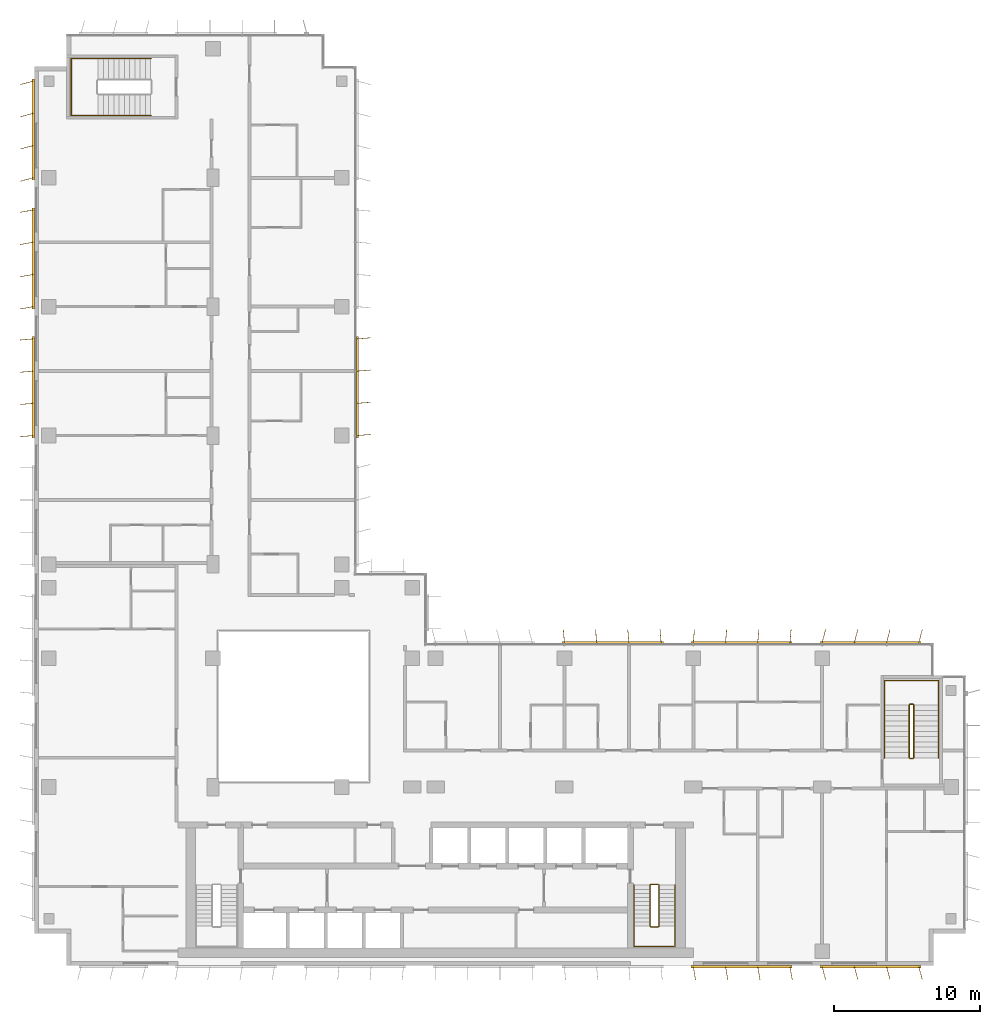
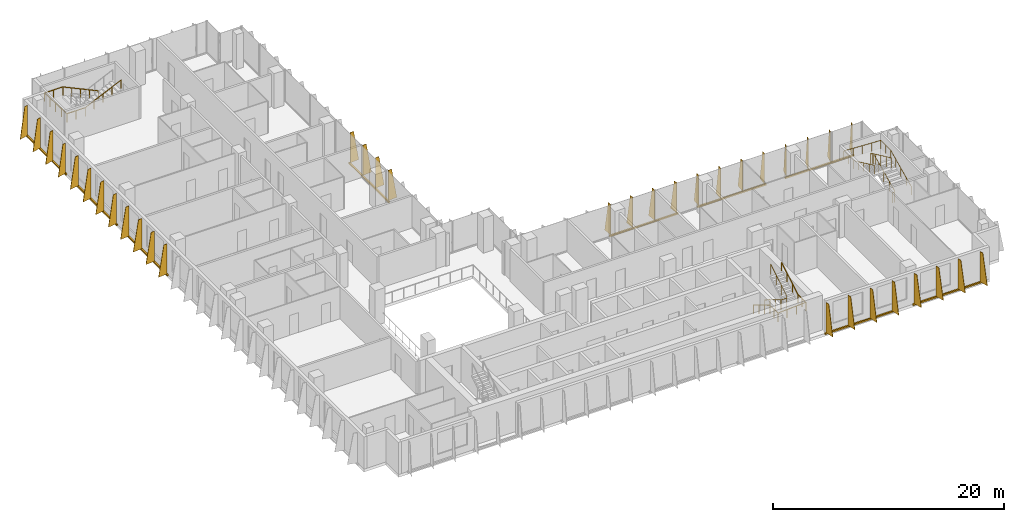
# One storey, part 20 of 21: 9 shading devices, 5 railings.
"""IFC4 building model written with IfcOpenShell, lengths in metres."""

from ifc_helpers import new_model, si_unit, direction, frame, origin, origin_2d, place, context, subcontext, project, spatial, polyline, rectangle, circle, outline, extrude, source, transform, mapped, material, layer, layer_set, type_object, element, save


model = new_model("IFC4")

# Units and contexts
model_context = context("Model", 3, precision=1e-05, world=origin(), true_north=direction((0.0, 1.0)))
body_context = subcontext(model_context, "Body", "Model", "MODEL_VIEW")
ifc_project = project(units=[si_unit("LENGTHUNIT", "METRE"), si_unit("AREAUNIT", "SQUARE_METRE"), si_unit("VOLUMEUNIT", "CUBIC_METRE"), si_unit("PLANEANGLEUNIT", "RADIAN"), si_unit("MASSUNIT", "GRAM", prefix="KILO")], contexts=[model_context])

# Site, building, storey
site_placement = place(None, origin())
site = spatial("IfcSite", under=ifc_project, at=site_placement, CompositionType="ELEMENT")
building_placement = place(site_placement, origin())
building = spatial("IfcBuilding", under=site, at=building_placement, Name="Kemantara Hotel Tower", CompositionType="ELEMENT")
storey_placement = place(building_placement, frame((0.0, 0.0, 211.699951171875)))
storey = spatial("IfcBuildingStorey", under=building, at=storey_placement, Name="L52", CompositionType="ELEMENT", Elevation=211.699951171875)

# Railings
ifc_material_1 = material(Name="Stainless steel balustrade", Category="steel")
railing_type_1 = type_object("IfcRailingType", Name="Stair guard 1100 mm", PredefinedType="GUARDRAIL", material=ifc_material_1)
railing_1_placement = place(storey_placement, frame((42.64990234375, 5.5, 3.699951171875)))
element("IfcRailing", 1, at=railing_1_placement, inside=storey, type_object=railing_type_1, Name="L52 ST2 stair guard 1", PredefinedType="GUARDRAIL", context=body_context, shape_type="SweptSolid", body=[
    extrude(circle(Radius=0.02392578125, at=origin_2d()), frame((0.0, 0.0, 1.076171875), z_axis=(0.0, -0.857275202839, -0.514858452973), x_axis=(1.0, 0.0, 0.0)), (0.0, 0.0, 1.0), 3.26611328125),
    extrude(circle(Radius=0.02392578125, at=origin_2d()), frame((0.0, -2.800048828125, -0.60546875), z_axis=(-0.273006030465, -0.27434429532, -0.922064485248), x_axis=(0.708833529934, -0.705375805398, 0.0)), (0.0, 0.0, 1.0), 0.182373046875),
    extrude(circle(Radius=0.02392578125, at=origin_2d()), frame((-0.0498046875, -2.85009765625, -0.77392578125), z_axis=(-1.0, 0.0, 0.0), x_axis=(0.0, -1.0, 0.0)), (0.0, 0.0, 1.0), 0.5),
    extrude(circle(Radius=0.02392578125, at=origin_2d()), frame((-0.5498046875, -2.85009765625, -0.77392578125), z_axis=(-0.707106781187, 0.707106781187, 0.0), x_axis=(-0.707106781187, -0.707106781187, 0.0)), (0.0, 0.0, 1.0), 0.07080078125),
    extrude(circle(Radius=0.02392578125, at=origin_2d()), frame((-0.599853515625, -2.800048828125, -0.77392578125), z_axis=(0.0, 0.857242210791, -0.514913383045), x_axis=(-1.0, 0.0, 0.0)), (0.0, 0.0, 1.0), 3.266357421875),
    extrude(circle(Radius=0.02392578125, at=origin_2d()), frame((-0.599853515625, 0.0, -2.45556640625), z_axis=(0.274243871929, 0.274243871929, -0.92172696468), x_axis=(-0.707106781187, 0.707106781187, 0.0)), (0.0, 0.0, 1.0), 0.1826171875),
    extrude(circle(Radius=0.02392578125, at=origin_2d()), frame((-0.5498046875, 0.050048828125, -2.6240234375), z_axis=(1.0, 0.0, 0.0), x_axis=(0.0, 1.0, 0.0)), (0.0, 0.0, 1.0), 0.5),
    extrude(circle(Radius=0.02099609375, at=origin_2d()), origin(), (0.0, 0.0, 1.0), 1.052001953125),
    extrude(circle(Radius=0.02099609375, at=origin_2d()), frame((0.0, -0.933349609375, -0.560546875)), (0.0, 0.0, 1.0), 1.052001953125),
    extrude(circle(Radius=0.02099609375, at=origin_2d()), frame((0.0, -1.86669921875, -1.12109375)), (0.0, 0.0, 1.0), 1.052001953125),
    extrude(circle(Radius=0.02099609375, at=origin_2d()), frame((0.0, -2.800048828125, -1.681640625)), (0.0, 0.0, 1.0), 1.052001953125),
    extrude(circle(Radius=0.02099609375, at=origin_2d()), frame((-0.0498046875, -2.85009765625, -1.849853515625)), (0.0, 0.0, 1.0), 1.052001953125),
    extrude(circle(Radius=0.02099609375, at=origin_2d()), frame((-0.5498046875, -2.85009765625, -1.849853515625)), (0.0, 0.0, 1.0), 1.052001953125),
    extrude(circle(Radius=0.02099609375, at=origin_2d()), frame((-0.599853515625, -2.800048828125, -1.849853515625)), (0.0, 0.0, 1.0), 1.052001953125),
    extrude(circle(Radius=0.02099609375, at=origin_2d()), frame((-0.599853515625, -1.86669921875, -2.410400390625)), (0.0, 0.0, 1.0), 1.052001953125),
    extrude(circle(Radius=0.02099609375, at=origin_2d()), frame((-0.599853515625, -0.933349609375, -2.97119140625)), (0.0, 0.0, 1.0), 1.052001953125),
    extrude(circle(Radius=0.02099609375, at=origin_2d()), frame((-0.599853515625, 0.0, -3.53173828125)), (0.0, 0.0, 1.0), 1.052001953125),
    extrude(circle(Radius=0.02099609375, at=origin_2d()), frame((-0.5498046875, 0.050048828125, -3.699951171875)), (0.0, 0.0, 1.0), 1.052001953125),
    extrude(circle(Radius=0.02099609375, at=origin_2d()), frame((-0.0498046875, 0.050048828125, -3.699951171875)), (0.0, 0.0, 1.0), 1.052001953125),
])
railing_2_placement = place(storey_placement, frame((59.75, 14.199951171875, 3.699951171875)))
element("IfcRailing", 2, at=railing_2_placement, inside=storey, type_object=railing_type_1, Name="L52 ST3 stair guard 1", PredefinedType="GUARDRAIL", context=body_context, shape_type="SweptSolid", body=[
    extrude(circle(Radius=0.02392578125, at=origin_2d()), frame((0.0, 0.0, 1.076171875), z_axis=(0.0, 0.906029249863, -0.423215073447), x_axis=(-1.0, 0.0, 0.0)), (0.0, 0.0, 1.0), 3.973388671875),
    extrude(circle(Radius=0.02392578125, at=origin_2d()), frame((0.0, 3.60009765625, -0.60546875), z_axis=(0.274243871929, 0.274243871929, -0.92172696468), x_axis=(-0.707106781187, 0.707106781187, 0.0)), (0.0, 0.0, 1.0), 0.1826171875),
    extrude(circle(Radius=0.02392578125, at=origin_2d()), frame((0.050048828125, 3.650146484375, -0.77392578125), z_axis=(1.0, 0.0, 0.0), x_axis=(0.0, 1.0, 0.0)), (0.0, 0.0, 1.0), 0.199951171875),
    extrude(circle(Radius=0.02392578125, at=origin_2d()), frame((0.25, 3.650146484375, -0.77392578125), z_axis=(0.707106781187, -0.707106781187, 0.0), x_axis=(0.707106781187, 0.707106781187, 0.0)), (0.0, 0.0, 1.0), 0.07080078125),
    extrude(circle(Radius=0.02392578125, at=origin_2d()), frame((0.300048828125, 3.60009765625, -0.77392578125), z_axis=(0.0, -0.906005689286, -0.423265508849), x_axis=(1.0, 0.0, 0.0)), (0.0, 0.0, 1.0), 3.9736328125),
    extrude(circle(Radius=0.02392578125, at=origin_2d()), frame((0.300048828125, 0.0, -2.45556640625), z_axis=(-0.274243871929, -0.274243871929, -0.92172696468), x_axis=(0.707106781187, -0.707106781187, 0.0)), (0.0, 0.0, 1.0), 0.1826171875),
    extrude(circle(Radius=0.02392578125, at=origin_2d()), frame((0.25, -0.050048828125, -2.6240234375), z_axis=(-1.0, 0.0, 0.0), x_axis=(0.0, -1.0, 0.0)), (0.0, 0.0, 1.0), 0.199951171875),
    extrude(circle(Radius=0.02099609375, at=origin_2d()), origin(), (0.0, 0.0, 1.0), 1.052001953125),
    extrude(circle(Radius=0.02099609375, at=origin_2d()), frame((0.0, 0.89990234375, -0.42041015625)), (0.0, 0.0, 1.0), 1.052001953125),
    extrude(circle(Radius=0.02099609375, at=origin_2d()), frame((0.0, 1.800048828125, -0.8408203125)), (0.0, 0.0, 1.0), 1.052001953125),
    extrude(circle(Radius=0.02099609375, at=origin_2d()), frame((0.0, 2.7001953125, -1.26123046875)), (0.0, 0.0, 1.0), 1.052001953125),
    extrude(circle(Radius=0.02099609375, at=origin_2d()), frame((0.0, 3.60009765625, -1.681640625)), (0.0, 0.0, 1.0), 1.052001953125),
    extrude(circle(Radius=0.02099609375, at=origin_2d()), frame((0.050048828125, 3.650146484375, -1.849853515625)), (0.0, 0.0, 1.0), 1.052001953125),
    extrude(circle(Radius=0.02099609375, at=origin_2d()), frame((0.25, 3.650146484375, -1.849853515625)), (0.0, 0.0, 1.0), 1.052001953125),
    extrude(circle(Radius=0.02099609375, at=origin_2d()), frame((0.300048828125, 3.60009765625, -1.849853515625)), (0.0, 0.0, 1.0), 1.052001953125),
    extrude(circle(Radius=0.02099609375, at=origin_2d()), frame((0.300048828125, 2.7001953125, -2.270263671875)), (0.0, 0.0, 1.0), 1.052001953125),
    extrude(circle(Radius=0.02099609375, at=origin_2d()), frame((0.300048828125, 1.800048828125, -2.69091796875)), (0.0, 0.0, 1.0), 1.052001953125),
    extrude(circle(Radius=0.02099609375, at=origin_2d()), frame((0.300048828125, 0.89990234375, -3.111328125)), (0.0, 0.0, 1.0), 1.052001953125),
    extrude(circle(Radius=0.02099609375, at=origin_2d()), frame((0.300048828125, 0.0, -3.53173828125)), (0.0, 0.0, 1.0), 1.052001953125),
    extrude(circle(Radius=0.02099609375, at=origin_2d()), frame((0.25, -0.050048828125, -3.699951171875)), (0.0, 0.0, 1.0), 1.052001953125),
    extrude(circle(Radius=0.02099609375, at=origin_2d()), frame((0.050048828125, -0.050048828125, -3.699951171875)), (0.0, 0.0, 1.0), 1.052001953125),
])
railing_type_2 = type_object("IfcRailingType", Name="Stair handrail 900 mm", PredefinedType="HANDRAIL", material=ifc_material_1)
railing_3_placement = place(storey_placement, frame((40.949951171875, 5.5, 0.168212890625)))
element("IfcRailing", 3, at=railing_3_placement, inside=storey, type_object=railing_type_2, Name="L52 ST2 stair handrail 1", PredefinedType="HANDRAIL", context=body_context, shape_type="SweptSolid", body=[
    extrude(circle(Radius=0.02392578125, at=origin_2d()), frame((0.0, 0.0, 0.8759765625), z_axis=(0.0, -0.857242210791, 0.514913383045), x_axis=(1.0, 0.0, 0.0)), (0.0, 0.0, 1.0), 3.266357421875),
    extrude(circle(Radius=0.02392578125, at=origin_2d()), frame((0.0, -2.800048828125, 2.5576171875), z_axis=(0.0, -1.0, 0.0), x_axis=(1.0, 0.0, 0.0)), (0.0, 0.0, 1.0), 1.3798828125),
    extrude(circle(Radius=0.02392578125, at=origin_2d()), frame((0.0, -4.179931640625, 2.5576171875), z_axis=(0.998200367801, 0.0, 0.059966871865), x_axis=(0.0, 1.0, 0.0)), (0.0, 0.0, 1.0), 2.80517578125),
    extrude(circle(Radius=0.02392578125, at=origin_2d()), frame((2.800048828125, -4.179931640625, 2.72607421875), z_axis=(0.0, 1.0, 0.0), x_axis=(-1.0, 0.0, 0.0)), (0.0, 0.0, 1.0), 1.3798828125),
    extrude(circle(Radius=0.02392578125, at=origin_2d()), frame((2.800048828125, -2.800048828125, 2.72607421875), z_axis=(0.0, 0.857275202839, 0.514858452973), x_axis=(-1.0, 0.0, 0.0)), (0.0, 0.0, 1.0), 3.26611328125),
    extrude(circle(Radius=0.02099609375, at=origin_2d()), origin(), (0.0, 0.0, 1.0), 0.851806640625),
    extrude(circle(Radius=0.02099609375, at=origin_2d()), frame((0.0, -0.933349609375, 0.560546875)), (0.0, 0.0, 1.0), 0.851806640625),
    extrude(circle(Radius=0.02099609375, at=origin_2d()), frame((0.0, -1.86669921875, 1.121337890625)), (0.0, 0.0, 1.0), 0.851806640625),
    extrude(circle(Radius=0.02099609375, at=origin_2d()), frame((0.0, -2.800048828125, 1.681884765625)), (0.0, 0.0, 1.0), 0.851806640625),
    extrude(circle(Radius=0.02099609375, at=origin_2d()), frame((0.0, -3.489990234375, 1.681884765625)), (0.0, 0.0, 1.0), 0.851806640625),
    extrude(circle(Radius=0.02099609375, at=origin_2d()), frame((0.0, -4.179931640625, 1.681884765625)), (0.0, 0.0, 1.0), 0.851806640625),
    extrude(circle(Radius=0.02099609375, at=origin_2d()), frame((0.933349609375, -4.179931640625, 1.738037109375)), (0.0, 0.0, 1.0), 0.851806640625),
    extrude(circle(Radius=0.02099609375, at=origin_2d()), frame((1.86669921875, -4.179931640625, 1.7939453125)), (0.0, 0.0, 1.0), 0.851806640625),
    extrude(circle(Radius=0.02099609375, at=origin_2d()), frame((2.800048828125, -4.179931640625, 1.85009765625)), (0.0, 0.0, 1.0), 0.851806640625),
    extrude(circle(Radius=0.02099609375, at=origin_2d()), frame((2.800048828125, -3.489990234375, 1.85009765625)), (0.0, 0.0, 1.0), 0.851806640625),
    extrude(circle(Radius=0.02099609375, at=origin_2d()), frame((2.800048828125, -2.800048828125, 1.85009765625)), (0.0, 0.0, 1.0), 0.851806640625),
    extrude(circle(Radius=0.02099609375, at=origin_2d()), frame((2.800048828125, -1.86669921875, 2.41064453125)), (0.0, 0.0, 1.0), 0.851806640625),
    extrude(circle(Radius=0.02099609375, at=origin_2d()), frame((2.800048828125, -0.933349609375, 2.97119140625)), (0.0, 0.0, 1.0), 0.851806640625),
    extrude(circle(Radius=0.02099609375, at=origin_2d()), frame((2.800048828125, 0.0, 3.53173828125)), (0.0, 0.0, 1.0), 0.851806640625),
])
railing_4_placement = place(storey_placement, frame((61.75, 14.199951171875, 0.168212890625)))
element("IfcRailing", 4, at=railing_4_placement, inside=storey, type_object=railing_type_2, Name="L52 ST3 stair handrail 1", PredefinedType="HANDRAIL", context=body_context, shape_type="SweptSolid", body=[
    extrude(circle(Radius=0.02392578125, at=origin_2d()), frame((0.0, 0.0, 0.8759765625), z_axis=(0.0, 0.906005689286, 0.423265508849), x_axis=(-1.0, 0.0, 0.0)), (0.0, 0.0, 1.0), 3.9736328125),
    extrude(circle(Radius=0.02392578125, at=origin_2d()), frame((0.0, 3.60009765625, 2.5576171875), z_axis=(0.0, 1.0, 0.0), x_axis=(-1.0, 0.0, 0.0)), (0.0, 0.0, 1.0), 1.679931640625),
    extrude(circle(Radius=0.02392578125, at=origin_2d()), frame((0.0, 5.280029296875, 2.5576171875), z_axis=(-0.998968132438, 0.0, 0.045416631029), x_axis=(0.0, -1.0, 0.0)), (0.0, 0.0, 1.0), 3.703857421875),
    extrude(circle(Radius=0.02392578125, at=origin_2d()), frame((-3.699951171875, 5.280029296875, 2.72607421875), z_axis=(0.0, -1.0, 0.0), x_axis=(1.0, 0.0, 0.0)), (0.0, 0.0, 1.0), 1.679931640625),
    extrude(circle(Radius=0.02392578125, at=origin_2d()), frame((-3.699951171875, 3.60009765625, 2.72607421875), z_axis=(0.0, -0.906029249863, 0.423215073447), x_axis=(1.0, 0.0, 0.0)), (0.0, 0.0, 1.0), 3.973388671875),
    extrude(circle(Radius=0.02099609375, at=origin_2d()), origin(), (0.0, 0.0, 1.0), 0.851806640625),
    extrude(circle(Radius=0.02099609375, at=origin_2d()), frame((0.0, 0.89990234375, 0.42041015625)), (0.0, 0.0, 1.0), 0.851806640625),
    extrude(circle(Radius=0.02099609375, at=origin_2d()), frame((0.0, 1.800048828125, 0.8408203125)), (0.0, 0.0, 1.0), 0.851806640625),
    extrude(circle(Radius=0.02099609375, at=origin_2d()), frame((0.0, 2.7001953125, 1.261474609375)), (0.0, 0.0, 1.0), 0.851806640625),
    extrude(circle(Radius=0.02099609375, at=origin_2d()), frame((0.0, 3.60009765625, 1.681884765625)), (0.0, 0.0, 1.0), 0.851806640625),
    extrude(circle(Radius=0.02099609375, at=origin_2d()), frame((0.0, 4.43994140625, 1.681884765625)), (0.0, 0.0, 1.0), 0.851806640625),
    extrude(circle(Radius=0.02099609375, at=origin_2d()), frame((0.0, 5.280029296875, 1.681884765625)), (0.0, 0.0, 1.0), 0.851806640625),
    extrude(circle(Radius=0.02099609375, at=origin_2d()), frame((-0.925048828125, 5.280029296875, 1.723876953125)), (0.0, 0.0, 1.0), 0.851806640625),
    extrude(circle(Radius=0.02099609375, at=origin_2d()), frame((-1.85009765625, 5.280029296875, 1.76611328125)), (0.0, 0.0, 1.0), 0.851806640625),
    extrude(circle(Radius=0.02099609375, at=origin_2d()), frame((-2.77490234375, 5.280029296875, 1.80810546875)), (0.0, 0.0, 1.0), 0.851806640625),
    extrude(circle(Radius=0.02099609375, at=origin_2d()), frame((-3.699951171875, 5.280029296875, 1.85009765625)), (0.0, 0.0, 1.0), 0.851806640625),
    extrude(circle(Radius=0.02099609375, at=origin_2d()), frame((-3.699951171875, 4.43994140625, 1.85009765625)), (0.0, 0.0, 1.0), 0.851806640625),
    extrude(circle(Radius=0.02099609375, at=origin_2d()), frame((-3.699951171875, 3.60009765625, 1.85009765625)), (0.0, 0.0, 1.0), 0.851806640625),
    extrude(circle(Radius=0.02099609375, at=origin_2d()), frame((-3.699951171875, 2.7001953125, 2.2705078125)), (0.0, 0.0, 1.0), 0.851806640625),
    extrude(circle(Radius=0.02099609375, at=origin_2d()), frame((-3.699951171875, 1.800048828125, 2.69091796875)), (0.0, 0.0, 1.0), 0.851806640625),
    extrude(circle(Radius=0.02099609375, at=origin_2d()), frame((-3.699951171875, 0.89990234375, 3.111328125)), (0.0, 0.0, 1.0), 0.851806640625),
    extrude(circle(Radius=0.02099609375, at=origin_2d()), frame((-3.699951171875, 0.0, 3.53173828125)), (0.0, 0.0, 1.0), 0.851806640625),
])
railing_5_placement = place(storey_placement, frame((7.949951171875, 61.949951171875, 0.168212890625)))
element("IfcRailing", 5, at=railing_5_placement, inside=storey, type_object=railing_type_2, Name="L52 ST4 stair handrail 1", PredefinedType="HANDRAIL", context=body_context, shape_type="SweptSolid", body=[
    extrude(circle(Radius=0.02392578125, at=origin_2d()), frame((0.0, 0.0, 0.8759765625), z_axis=(-0.905994681025, 0.0, 0.423289071386), x_axis=(0.0, -1.0, 0.0)), (0.0, 0.0, 1.0), 3.973388671875),
    extrude(circle(Radius=0.02392578125, at=origin_2d()), frame((-3.599853515625, 0.0, 2.5576171875), z_axis=(-1.0, 0.0, 0.0), x_axis=(0.0, -1.0, 0.0)), (0.0, 0.0, 1.0), 1.830078125),
    extrude(circle(Radius=0.02392578125, at=origin_2d()), frame((-5.429931640625, 0.0, 2.5576171875), z_axis=(0.0, -0.999071085748, 0.043092523981), x_axis=(1.0, 0.0, 0.0)), (0.0, 0.0, 1.0), 3.903564453125),
    extrude(circle(Radius=0.02392578125, at=origin_2d()), frame((-5.429931640625, -3.89990234375, 2.72607421875), z_axis=(1.0, 0.0, 0.0), x_axis=(0.0, 1.0, 0.0)), (0.0, 0.0, 1.0), 1.830078125),
    extrude(circle(Radius=0.02392578125, at=origin_2d()), frame((-3.599853515625, -3.89990234375, 2.72607421875), z_axis=(0.906018243939, 0.0, 0.423238634402), x_axis=(0.0, 1.0, 0.0)), (0.0, 0.0, 1.0), 3.973388671875),
    extrude(circle(Radius=0.02099609375, at=origin_2d()), origin(), (0.0, 0.0, 1.0), 0.851806640625),
    extrude(circle(Radius=0.02099609375, at=origin_2d()), frame((-0.89990234375, 0.0, 0.42041015625)), (0.0, 0.0, 1.0), 0.851806640625),
    extrude(circle(Radius=0.02099609375, at=origin_2d()), frame((-1.7998046875, 0.0, 0.8408203125)), (0.0, 0.0, 1.0), 0.851806640625),
    extrude(circle(Radius=0.02099609375, at=origin_2d()), frame((-2.699951171875, 0.0, 1.261474609375)), (0.0, 0.0, 1.0), 0.851806640625),
    extrude(circle(Radius=0.02099609375, at=origin_2d()), frame((-3.599853515625, 0.0, 1.681884765625)), (0.0, 0.0, 1.0), 0.851806640625),
    extrude(circle(Radius=0.02099609375, at=origin_2d()), frame((-4.514892578125, 0.0, 1.681884765625)), (0.0, 0.0, 1.0), 0.851806640625),
    extrude(circle(Radius=0.02099609375, at=origin_2d()), frame((-5.429931640625, 0.0, 1.681884765625)), (0.0, 0.0, 1.0), 0.851806640625),
    extrude(circle(Radius=0.02099609375, at=origin_2d()), frame((-5.429931640625, -0.97509765625, 1.723876953125)), (0.0, 0.0, 1.0), 0.851806640625),
    extrude(circle(Radius=0.02099609375, at=origin_2d()), frame((-5.429931640625, -1.949951171875, 1.76611328125)), (0.0, 0.0, 1.0), 0.851806640625),
    extrude(circle(Radius=0.02099609375, at=origin_2d()), frame((-5.429931640625, -2.9248046875, 1.80810546875)), (0.0, 0.0, 1.0), 0.851806640625),
    extrude(circle(Radius=0.02099609375, at=origin_2d()), frame((-5.429931640625, -3.89990234375, 1.85009765625)), (0.0, 0.0, 1.0), 0.851806640625),
    extrude(circle(Radius=0.02099609375, at=origin_2d()), frame((-4.514892578125, -3.89990234375, 1.85009765625)), (0.0, 0.0, 1.0), 0.851806640625),
    extrude(circle(Radius=0.02099609375, at=origin_2d()), frame((-3.599853515625, -3.89990234375, 1.85009765625)), (0.0, 0.0, 1.0), 0.851806640625),
    extrude(circle(Radius=0.02099609375, at=origin_2d()), frame((-2.699951171875, -3.89990234375, 2.2705078125)), (0.0, 0.0, 1.0), 0.851806640625),
    extrude(circle(Radius=0.02099609375, at=origin_2d()), frame((-1.7998046875, -3.89990234375, 2.69091796875)), (0.0, 0.0, 1.0), 0.851806640625),
    extrude(circle(Radius=0.02099609375, at=origin_2d()), frame((-0.89990234375, -3.89990234375, 3.111328125)), (0.0, 0.0, 1.0), 0.851806640625),
    extrude(circle(Radius=0.02099609375, at=origin_2d()), frame((0.0, -3.89990234375, 3.53173828125)), (0.0, 0.0, 1.0), 0.851806640625),
])

# Shading devices
ifc_material_2 = material(Name="Perforated aluminium plate 4 mm bronze anodised", Category="aluminium")
ifc_layer_1 = layer(ifc_material_2, 0.0400390625)
ifc_layer_set_1 = layer_set([ifc_layer_1], Name="Perforated aluminium plate 4 mm bronze anodised")
shading_device_type_1 = type_object("IfcShadingDeviceType", Name="SCREEN FIN CASSETTE, 4 BLADES AT -5.0 DEG, 3200 HIGH", PredefinedType="USERDEFINED", material=ifc_layer_set_1)
shared_shape_1 = source(origin(), body_context, "Body", "SweptSolid", [
    extrude(rectangle(XDim=6.89990234375, YDim=0.14990234375, at=origin_2d()), frame((3.300048828125, -0.074951171875, -0.14990234375), z_axis=(0.0, 0.0, 1.0), x_axis=(1.0, 0.0, 0.0)), (0.0, 0.0, 1.0), 0.14990234375),
    extrude(outline(polyline([(0.0, 0.0), (0.89990234375, 0.0), (0.35009765625, 3.199951171875), (0.0, 3.199951171875), (0.0, 0.0)])), frame((0.02001953125, -0.07666015625, 0.0), z_axis=(-0.996376129781, 0.085056498884, 0.0), x_axis=(-0.085056498884, -0.996376129781, 0.0)), (0.0, 0.0, 1.0), 0.040283203125),
    extrude(outline(polyline([(0.0, 0.0), (0.89990234375, 0.0), (0.35009765625, 3.199951171875), (0.0, 3.199951171875), (0.0, 0.0)])), frame((2.219970703125, -0.07666015625, 0.0), z_axis=(-0.996331773833, 0.085574508182, 0.0), x_axis=(-0.085574508182, -0.996331773833, 0.0)), (0.0, 0.0, 1.0), 0.0400390625),
    extrude(outline(polyline([(0.0, 0.0), (0.89990234375, 0.0), (0.35009765625, 3.199951171875), (0.0, 3.199951171875), (0.0, 0.0)])), frame((4.419921875, -0.07666015625, 0.0), z_axis=(-0.996331773833, 0.085574508182, 0.0), x_axis=(-0.085574508182, -0.996331773833, 0.0)), (0.0, 0.0, 1.0), 0.0400390625),
    extrude(outline(polyline([(0.0, 0.0), (0.89990234375, 0.0), (0.35009765625, 3.199951171875), (0.0, 3.199951171875), (0.0, 0.0)])), frame((6.619873046875, -0.07666015625, 0.0), z_axis=(-0.996331773833, 0.085574508182, 0.0), x_axis=(-0.085574508182, -0.996331773833, 0.0)), (0.0, 0.0, 1.0), 0.0400390625),
])
shading_device_1_placement = place(storey_placement, frame((51.60009765625, 22.0, 0.10009765625), z_axis=(0.0, 0.0, 1.0), x_axis=(-1.0, 0.0, 0.0)))
element("IfcShadingDevice", 6, at=shading_device_1_placement, inside=storey, type_object=shading_device_type_1, Name="SCREEN FIN CASSETTE L52 T3-R14-2", ObjectType="SCREEN FIN", PredefinedType="USERDEFINED", context=body_context, shape_type="MappedRepresentation", body=[
    mapped(shared_shape_1, transform((0.0, 0.0, 0.0))),
])
ifc_layer_2 = layer(ifc_material_2, 0.0400390625)
ifc_layer_set_2 = layer_set([ifc_layer_2], Name="Perforated aluminium plate 4 mm bronze anodised")
shading_device_type_2 = type_object("IfcShadingDeviceType", Name="SCREEN FIN CASSETTE, 4 BLADES AT +5.0 DEG, 3200 HIGH", PredefinedType="USERDEFINED", material=ifc_layer_set_2)
shared_shape_2 = source(origin(), body_context, "Body", "SweptSolid", [
    extrude(rectangle(XDim=6.89990234375, YDim=0.14990234375, at=origin_2d()), frame((3.300048828125, -0.074951171875, -0.14990234375), z_axis=(0.0, 0.0, 1.0), x_axis=(1.0, 0.0, 0.0)), (0.0, 0.0, 1.0), 0.14990234375),
    extrude(outline(polyline([(0.0, 0.0), (0.89990234375, 0.0), (0.35009765625, 3.199951171875), (0.0, 3.199951171875), (0.0, 0.0)])), frame((0.02001953125, -0.0732421875, 0.0), z_axis=(-0.996376129781, -0.085056498884, 0.0), x_axis=(0.085056498884, -0.996376129781, 0.0)), (0.0, 0.0, 1.0), 0.040283203125),
    extrude(outline(polyline([(0.0, 0.0), (0.89990234375, 0.0), (0.35009765625, 3.199951171875), (0.0, 3.199951171875), (0.0, 0.0)])), frame((2.219970703125, -0.0732421875, 0.0), z_axis=(-0.996331773833, -0.085574508182, 0.0), x_axis=(0.085574508182, -0.996331773833, 0.0)), (0.0, 0.0, 1.0), 0.0400390625),
    extrude(outline(polyline([(0.0, 0.0), (0.89990234375, 0.0), (0.35009765625, 3.199951171875), (0.0, 3.199951171875), (0.0, 0.0)])), frame((4.419921875, -0.0732421875, 0.0), z_axis=(-0.996331773833, -0.085574508182, 0.0), x_axis=(0.085574508182, -0.996331773833, 0.0)), (0.0, 0.0, 1.0), 0.0400390625),
    extrude(outline(polyline([(0.0, 0.0), (0.89990234375, 0.0), (0.35009765625, 3.199951171875), (0.0, 3.199951171875), (0.0, 0.0)])), frame((6.619873046875, -0.0732421875, 0.0), z_axis=(-0.996331773833, -0.085574508182, 0.0), x_axis=(0.085574508182, -0.996331773833, 0.0)), (0.0, 0.0, 1.0), 0.0400390625),
])
for number, where, z_axis, x_axis, name in (
    (7, (0.0, 42.800048828125, 0.10009765625), (0.0, 0.0, 1.0), (0.0, -1.0, 0.0), "SCREEN FIN CASSETTE L52 T3-R05-3"),
    (8, (42.800048828125, 22.0, 0.10009765625), (0.0, 0.0, 1.0), (-1.0, 0.0, 0.0), "SCREEN FIN CASSETTE L52 T3-R14-3"),
    (9, (22.0, 36.199951171875, 0.10009765625), (0.0, 0.0, 1.0), (0.0, 1.0, 0.0), "SCREEN FIN CASSETTE L52 T3-R17-2"),
):
    element("IfcShadingDevice", number, at=place(storey_placement, frame(where, z_axis=z_axis, x_axis=x_axis)), inside=storey, type_object=shading_device_type_2, Name=name, ObjectType="SCREEN FIN", PredefinedType="USERDEFINED", context=body_context, shape_type="MappedRepresentation", body=[
        mapped(shared_shape_2, transform((0.0, 0.0, 0.0))),
    ])
ifc_layer_3 = layer(ifc_material_2, 0.0400390625)
ifc_layer_set_3 = layer_set([ifc_layer_3], Name="Perforated aluminium plate 4 mm bronze anodised")
shading_device_type_3 = type_object("IfcShadingDeviceType", Name="SCREEN FIN CASSETTE, 4 BLADES AT +10.0 DEG, 3200 HIGH", PredefinedType="USERDEFINED", material=ifc_layer_set_3)
shared_shape_3 = source(origin(), body_context, "Body", "SweptSolid", [
    extrude(rectangle(XDim=6.89990234375, YDim=0.14990234375, at=origin_2d()), frame((3.300048828125, -0.074951171875, -0.14990234375), z_axis=(0.0, 0.0, 1.0), x_axis=(1.0, 0.0, 0.0)), (0.0, 0.0, 1.0), 0.14990234375),
    extrude(outline(polyline([(0.0, 0.0), (0.89990234375, 0.0), (0.35009765625, 3.199951171875), (0.0, 3.199951171875), (0.0, 0.0)])), frame((0.019775390625, -0.071533203125, 0.0), z_axis=(-0.985389793052, -0.170314285219, 0.0), x_axis=(0.170314285219, -0.985389793052, 0.0)), (0.0, 0.0, 1.0), 0.0400390625),
    extrude(outline(polyline([(0.0, 0.0), (0.89990234375, 0.0), (0.35009765625, 3.199951171875), (0.0, 3.199951171875), (0.0, 0.0)])), frame((2.2197265625, -0.071533203125, 0.0), z_axis=(-0.98521175482, -0.171341174751, 0.0), x_axis=(0.171341174751, -0.98521175482, 0.0)), (0.0, 0.0, 1.0), 0.039794921875),
    extrude(outline(polyline([(0.0, 0.0), (0.89990234375, 0.0), (0.35009765625, 3.199951171875), (0.0, 3.199951171875), (0.0, 0.0)])), frame((4.419677734375, -0.071533203125, 0.0), z_axis=(-0.98521175482, -0.171341174751, 0.0), x_axis=(0.171341174751, -0.98521175482, 0.0)), (0.0, 0.0, 1.0), 0.039794921875),
    extrude(outline(polyline([(0.0, 0.0), (0.89990234375, 0.0), (0.35009765625, 3.199951171875), (0.0, 3.199951171875), (0.0, 0.0)])), frame((6.61962890625, -0.071533203125, 0.0), z_axis=(-0.98521175482, -0.171341174751, 0.0), x_axis=(0.171341174751, -0.98521175482, 0.0)), (0.0, 0.0, 1.0), 0.039794921875),
])
for number, where, z_axis, x_axis, name in (
    (10, (0.0, 51.60009765625, 0.10009765625), (0.0, 0.0, 1.0), (0.0, -1.0, 0.0), "SCREEN FIN CASSETTE L52 T3-R05-2"),
    (11, (45.0, 0.0, 0.10009765625), (0.0, 0.0, 1.0), (1.0, 0.0, 0.0), "SCREEN FIN CASSETTE L52 T3-R08-6"),
):
    element("IfcShadingDevice", number, at=place(storey_placement, frame(where, z_axis=z_axis, x_axis=x_axis)), inside=storey, type_object=shading_device_type_3, Name=name, ObjectType="SCREEN FIN", PredefinedType="USERDEFINED", context=body_context, shape_type="MappedRepresentation", body=[
        mapped(shared_shape_3, transform((0.0, 0.0, 0.0))),
    ])
ifc_layer_4 = layer(ifc_material_2, 0.0400390625)
ifc_layer_set_4 = layer_set([ifc_layer_4], Name="Perforated aluminium plate 4 mm bronze anodised")
shading_device_type_4 = type_object("IfcShadingDeviceType", Name="SCREEN FIN CASSETTE, 4 BLADES AT +15.0 DEG, 3200 HIGH", PredefinedType="USERDEFINED", material=ifc_layer_set_4)
shared_shape_4 = source(origin(), body_context, "Body", "SweptSolid", [
    extrude(rectangle(XDim=6.89990234375, YDim=0.14990234375, at=origin_2d()), frame((3.300048828125, -0.074951171875, -0.14990234375), z_axis=(0.0, 0.0, 1.0), x_axis=(1.0, 0.0, 0.0)), (0.0, 0.0, 1.0), 0.14990234375),
    extrude(outline(polyline([(0.0, 0.0), (0.89990234375, 0.0), (0.35009765625, 3.199951171875), (0.0, 3.199951171875), (0.0, 0.0)])), frame((0.019287109375, -0.06982421875, 0.0), z_axis=(-0.966437683387, -0.256901156343, 0.0), x_axis=(0.256901156343, -0.966437683387, 0.0)), (0.0, 0.0, 1.0), 0.039794921875),
    extrude(outline(polyline([(0.0, 0.0), (0.89990234375, 0.0), (0.35009765625, 3.199951171875), (0.0, 3.199951171875), (0.0, 0.0)])), frame((2.21923828125, -0.06982421875, 0.0), z_axis=(-0.966437683387, -0.256901156343, 0.0), x_axis=(0.256901156343, -0.966437683387, 0.0)), (0.0, 0.0, 1.0), 0.039794921875),
    extrude(outline(polyline([(0.0, 0.0), (0.89990234375, 0.0), (0.35009765625, 3.199951171875), (0.0, 3.199951171875), (0.0, 0.0)])), frame((4.41943359375, -0.06982421875, 0.0), z_axis=(-0.966837822169, -0.255391122837, 0.0), x_axis=(0.255391122837, -0.966837822169, 0.0)), (0.0, 0.0, 1.0), 0.0400390625),
    extrude(outline(polyline([(0.0, 0.0), (0.89990234375, 0.0), (0.35009765625, 3.199951171875), (0.0, 3.199951171875), (0.0, 0.0)])), frame((6.619384765625, -0.06982421875, 0.0), z_axis=(-0.966837822169, -0.255391122837, 0.0), x_axis=(0.255391122837, -0.966837822169, 0.0)), (0.0, 0.0, 1.0), 0.0400390625),
])
for number, where, z_axis, x_axis, name in (
    (12, (0.0, 60.39990234375, 0.10009765625), (0.0, 0.0, 1.0), (0.0, -1.0, 0.0), "SCREEN FIN CASSETTE L52 T3-R05-1"),
    (13, (53.800048828125, 0.0, 0.10009765625), (0.0, 0.0, 1.0), (1.0, 0.0, 0.0), "SCREEN FIN CASSETTE L52 T3-R08-7"),
):
    element("IfcShadingDevice", number, at=place(storey_placement, frame(where, z_axis=z_axis, x_axis=x_axis)), inside=storey, type_object=shading_device_type_4, Name=name, ObjectType="SCREEN FIN", PredefinedType="USERDEFINED", context=body_context, shape_type="MappedRepresentation", body=[
        mapped(shared_shape_4, transform((0.0, 0.0, 0.0))),
    ])
ifc_layer_5 = layer(ifc_material_2, 0.0400390625)
ifc_layer_set_5 = layer_set([ifc_layer_5], Name="Perforated aluminium plate 4 mm bronze anodised")
shading_device_type_5 = type_object("IfcShadingDeviceType", Name="SCREEN FIN CASSETTE, 4 BLADES AT -15.0 DEG, 3200 HIGH", PredefinedType="USERDEFINED", material=ifc_layer_set_5)
shared_shape_5 = source(origin(), body_context, "Body", "SweptSolid", [
    extrude(rectangle(XDim=6.89990234375, YDim=0.14990234375, at=origin_2d()), frame((3.300048828125, -0.074951171875, -0.14990234375), z_axis=(0.0, 0.0, 1.0), x_axis=(1.0, 0.0, 0.0)), (0.0, 0.0, 1.0), 0.14990234375),
    extrude(outline(polyline([(0.0, 0.0), (0.89990234375, 0.0), (0.35009765625, 3.199951171875), (0.0, 3.199951171875), (0.0, 0.0)])), frame((0.019287109375, -0.080078125, 0.0), z_axis=(-0.966437683387, 0.256901156343, 0.0), x_axis=(-0.256901156343, -0.966437683387, 0.0)), (0.0, 0.0, 1.0), 0.039794921875),
    extrude(outline(polyline([(0.0, 0.0), (0.89990234375, 0.0), (0.35009765625, 3.199951171875), (0.0, 3.199951171875), (0.0, 0.0)])), frame((2.21923828125, -0.080078125, 0.0), z_axis=(-0.966437683387, 0.256901156343, 0.0), x_axis=(-0.256901156343, -0.966437683387, 0.0)), (0.0, 0.0, 1.0), 0.039794921875),
    extrude(outline(polyline([(0.0, 0.0), (0.89990234375, 0.0), (0.35009765625, 3.199951171875), (0.0, 3.199951171875), (0.0, 0.0)])), frame((4.41943359375, -0.080078125, 0.0), z_axis=(-0.966837822169, 0.255391122837, 0.0), x_axis=(-0.255391122837, -0.966837822169, 0.0)), (0.0, 0.0, 1.0), 0.0400390625),
    extrude(outline(polyline([(0.0, 0.0), (0.89990234375, 0.0), (0.35009765625, 3.199951171875), (0.0, 3.199951171875), (0.0, 0.0)])), frame((6.619384765625, -0.080078125, 0.0), z_axis=(-0.966837822169, 0.255391122837, 0.0), x_axis=(-0.255391122837, -0.966837822169, 0.0)), (0.0, 0.0, 1.0), 0.0400390625),
])
shading_device_2_placement = place(storey_placement, frame((60.39990234375, 22.0, 0.10009765625), z_axis=(0.0, 0.0, 1.0), x_axis=(-1.0, 0.0, 0.0)))
element("IfcShadingDevice", 14, at=shading_device_2_placement, inside=storey, type_object=shading_device_type_5, Name="SCREEN FIN CASSETTE L52 T3-R14-1", ObjectType="SCREEN FIN", PredefinedType="USERDEFINED", context=body_context, shape_type="MappedRepresentation", body=[
    mapped(shared_shape_5, transform((0.0, 0.0, 0.0))),
])

save(model, "model.ifc")
